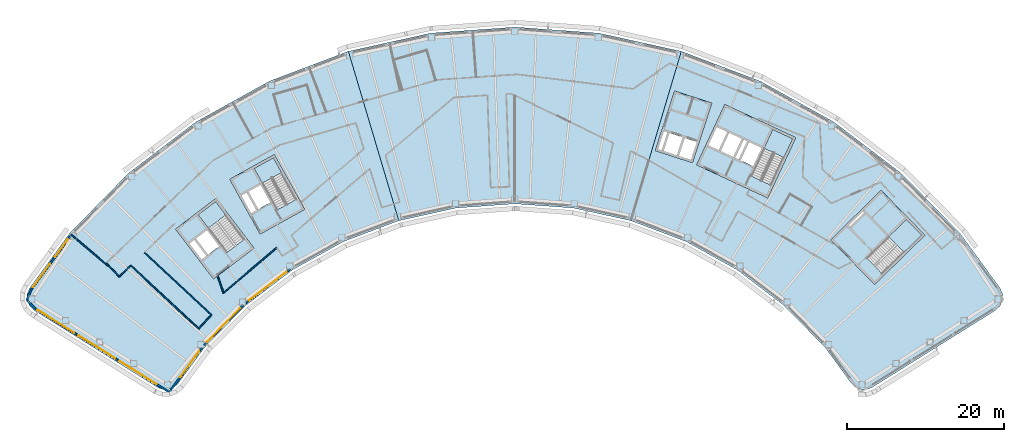
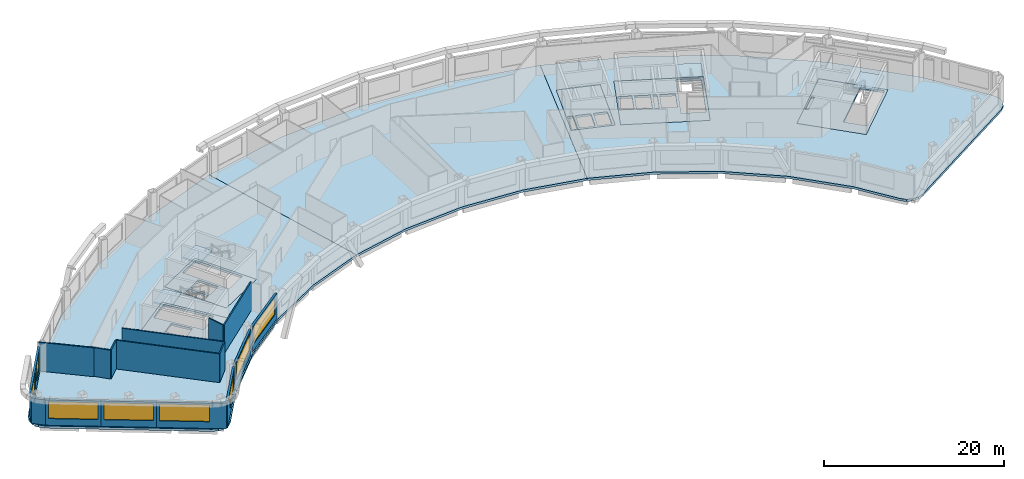
# One storey, part 4 of 15: 17 walls, 12 slabs, 8 windows, 8 openings, 4 elements without a shape of their own.
"""IFC4 building model written with IfcOpenShell, lengths in metres."""

import ifcopenshell
import ifcopenshell.guid

model = None  # the IFC model being written
_history = None  # IfcOwnerHistory: only IFC2X3 demands one
_inside = {}  # id of a spatial element -> (the spatial element, [elements in it])
_under = {}  # id of a project, library or spatial element -> (it, [spatial elements below it])
_declared = {}  # id of a project -> (the project, [libraries it declares])
_typed = {}  # id of a type object -> (the type object, [elements of that type])
_made_of = {}  # id of a material, layer set ... -> (it, [elements and type objects made of it])


def new_model(schema):
    """Start an empty IFC model of exactly this schema.

    Asked for "IFC4X3", IfcOpenShell would pick the latest addendum, in which some entities
    have other attributes; the version numbers below select the first issue.
    IFC2X3 requires an IfcOwnerHistory on every rooted entity: one is made here for all.
    """
    global model, _history
    if schema == "IFC4X3":
        model = ifcopenshell.file(schema_version=(4, 3, 0, 0))
    else:
        model = ifcopenshell.file(schema=schema)
    _inside.clear()
    _under.clear()
    _declared.clear()
    _typed.clear()
    _made_of.clear()
    _history = None
    if model.schema == "IFC2X3":
        org = make("IfcOrganization", Name="unknown")
        user = make(
            "IfcPersonAndOrganization",
            ThePerson=make("IfcPerson", FamilyName="unknown"),
            TheOrganization=org,
        )
        app = make(
            "IfcApplication",
            ApplicationDeveloper=org,
            Version="unknown",
            ApplicationFullName="unknown",
            ApplicationIdentifier="unknown",
        )
        _history = make(
            "IfcOwnerHistory",
            OwningUser=user,
            OwningApplication=app,
            ChangeAction="ADDED",
            CreationDate=0,
        )
    return model


def make(cls, **values):
    """One entity of the class cls with the attributes given. An attribute that is None is left unset."""
    return model.create_entity(
        cls, **{name: value for name, value in values.items() if value is not None}
    )


def rooted(cls, **values):
    """An entity with a GlobalId (a new one), such as an element, a storey or a relation."""
    return make(cls, GlobalId=ifcopenshell.guid.new(), OwnerHistory=_history, **values)


def si_unit(unit_type, name, prefix=None):
    """IfcSIUnit, for example si_unit("LENGTHUNIT", "METRE", prefix="MILLI")."""
    return make("IfcSIUnit", UnitType=unit_type, Prefix=prefix, Name=name)


def assignment(units):
    """IfcUnitAssignment: the units of a project."""
    return None if units is None else make("IfcUnitAssignment", Units=units)


def point(xyz):
    """IfcCartesianPoint."""
    return None if xyz is None else make("IfcCartesianPoint", Coordinates=xyz)


def direction(xyz):
    """IfcDirection."""
    return None if xyz is None else make("IfcDirection", DirectionRatios=xyz)


def frame(location, z_axis=None, x_axis=None):
    """IfcAxis2Placement3D, a coordinate frame: its origin and axes. An axis left out is left unset."""
    return make(
        "IfcAxis2Placement3D",
        Location=point(location),
        Axis=direction(z_axis),
        RefDirection=direction(x_axis),
    )


def frame_2d(location, x_axis=None):
    """IfcAxis2Placement2D, a coordinate frame in the plane: its origin and x axis."""
    return make(
        "IfcAxis2Placement2D", Location=point(location), RefDirection=direction(x_axis)
    )


def origin():
    """The frame at (0, 0, 0) with its axes left unset."""
    return frame((0.0, 0.0, 0.0))


def place(relative_to, where):
    """IfcLocalPlacement: puts the frame where relative to a parent placement (None: the world)."""
    return make(
        "IfcLocalPlacement", PlacementRelTo=relative_to, RelativePlacement=where
    )


def context(
    kind, dimensions, precision=None, world=None, true_north=None, identifier=None
):
    """IfcGeometricRepresentationContext, for example the 3D "Model" context."""
    return make(
        "IfcGeometricRepresentationContext",
        ContextIdentifier=identifier,
        ContextType=kind,
        CoordinateSpaceDimension=dimensions,
        Precision=precision,
        WorldCoordinateSystem=world,
        TrueNorth=true_north,
    )


def subcontext(parent, identifier, kind, view, scale=None):
    """IfcGeometricRepresentationSubContext, for example "Body" below "Model"."""
    return make(
        "IfcGeometricRepresentationSubContext",
        ContextIdentifier=identifier,
        ContextType=kind,
        ParentContext=parent,
        TargetScale=scale,
        TargetView=view,
    )


def project(units=None, contexts=None):
    """IfcProject with its units and contexts."""
    return rooted(
        "IfcProject",
        Name="project",
        RepresentationContexts=contexts,
        UnitsInContext=assignment(units),
    )


def spatial(cls, under=None, at=None, **own):
    """A site, building, storey or space (cls), placed at a placement, below another one or the project."""
    s = rooted(cls, ObjectPlacement=at, **own)
    if under is not None:
        _under.setdefault(under.id(), (under, []))[1].append(s)
    return s


def polyline(points):
    """IfcPolyline through the points."""
    return make("IfcPolyline", Points=[point(p) for p in points])


def profile(cls, at=None, kind="AREA", **sizes):
    """A parametric profile (cls). Its sizes go by their IFC names, for example OverallWidth=200.0."""
    return make(cls, ProfileType=kind, Position=at, **sizes)


def rectangle(**sizes):
    """IfcRectangleProfileDef."""
    return profile("IfcRectangleProfileDef", **sizes)


def outline(outer, holes=None, kind="AREA"):
    """IfcArbitraryClosedProfileDef: a profile drawn as a closed curve; with holes, ...WithVoids."""
    if holes is None:
        return make("IfcArbitraryClosedProfileDef", ProfileType=kind, OuterCurve=outer)
    return make(
        "IfcArbitraryProfileDefWithVoids",
        ProfileType=kind,
        OuterCurve=outer,
        InnerCurves=holes,
    )


def extrude(swept, where, along, depth):
    """IfcExtrudedAreaSolid: the profile swept, set in the frame where, extruded along a direction by depth."""
    return make(
        "IfcExtrudedAreaSolid",
        SweptArea=swept,
        Position=where,
        ExtrudedDirection=direction(along),
        Depth=depth,
    )


def shape(context_of_items, identifier, shape_type, items):
    """IfcShapeRepresentation: the items that make up one representation, for example the "Body"."""
    return make(
        "IfcShapeRepresentation",
        ContextOfItems=context_of_items,
        RepresentationIdentifier=identifier,
        RepresentationType=shape_type,
        Items=items,
    )


def material(Name=None, Category=None):
    """IfcMaterial."""
    return make("IfcMaterial", Name=Name, Category=Category)


def layer(
    of_material, thickness, ventilated=None, Name=None, Category=None, Priority=None
):
    """IfcMaterialLayer: one layer of a wall or slab, of a material (None: an air gap)."""
    return make(
        "IfcMaterialLayer",
        Material=of_material,
        LayerThickness=thickness,
        IsVentilated=ventilated,
        Name=Name,
        Category=Category,
        Priority=Priority,
    )


def layer_set(layers, Name=None):
    """IfcMaterialLayerSet."""
    return make("IfcMaterialLayerSet", MaterialLayers=layers, LayerSetName=Name)


def made_of(thing, what):
    """Note that an element or type object is made of a material, layer set ...; save() writes the relation."""
    if what is not None:
        _made_of.setdefault(what.id(), (what, []))[1].append(thing)
    return thing


def type_object(cls, material=None, **own):
    """A type object (cls), such as IfcWallType, which elements share."""
    return made_of(rooted(cls, **own), material)


def element(
    cls,
    number,
    at=None,
    inside=None,
    cuts=None,
    type_object=None,
    material=None,
    context=None,
    identifier="Body",
    shape_type=None,
    held_by="IfcProductDefinitionShape",
    body=None,
    shapes=None,
    **own,
):
    """One element of the class cls, such as IfcWall. Its Tag is "e" and its number.

    at: its placement. inside: the storey or other place that contains it. cuts: it is an
    opening in that element (IfcRelVoidsElement). A single representation is given by context,
    identifier, shape_type and body (its items); several are given by shapes. held_by: the class
    of the entity that holds the representations. save() writes the other relations.
    """
    e = rooted(cls, Tag="e%d" % number, ObjectPlacement=at, **own)
    if body is not None:
        shapes = [shape(context, identifier, shape_type, body)]
    if shapes is not None:
        e.Representation = make(held_by, Representations=shapes)
    if inside is not None:
        _inside.setdefault(inside.id(), (inside, []))[1].append(e)
    if cuts is not None:
        rooted(
            "IfcRelVoidsElement", RelatingBuildingElement=cuts, RelatedOpeningElement=e
        )
    if type_object is not None:
        _typed.setdefault(type_object.id(), (type_object, []))[1].append(e)
    return made_of(e, material)


def fill(opening, filler):
    """IfcRelFillsElement: the door or window that sits in an opening."""
    return rooted(
        "IfcRelFillsElement",
        RelatingOpeningElement=opening,
        RelatedBuildingElement=filler,
    )


def aggregate(whole, parts):
    """IfcRelAggregates: a whole, such as a stair, and the parts it consists of."""
    return rooted("IfcRelAggregates", RelatingObject=whole, RelatedObjects=parts)


def save(model, path):
    """Write the relations noted so far, then the file.

    IfcRelAggregates (storeys below a building ...), IfcRelContainedInSpatialStructure (elements
    in a storey), IfcRelDefinesByType, IfcRelAssociatesMaterial and IfcRelDeclares: one each for
    every whole, place, type object, material and project.
    """
    for whole, parts in _under.values():
        aggregate(whole, parts)
    for where, things in _inside.values():
        rooted(
            "IfcRelContainedInSpatialStructure",
            RelatedElements=things,
            RelatingStructure=where,
        )
    for kind, things in _typed.values():
        rooted("IfcRelDefinesByType", RelatedObjects=things, RelatingType=kind)
    for what, things in _made_of.values():
        rooted("IfcRelAssociatesMaterial", RelatedObjects=things, RelatingMaterial=what)
    for by, libraries in _declared.values():
        rooted("IfcRelDeclares", RelatingContext=by, RelatedDefinitions=libraries)
    model.write(path)


model = new_model("IFC4")

# Units and contexts
model_context = context("Model", 3, precision=1e-05, world=origin(), true_north=direction((0.0, 1.0)))
body_context = subcontext(model_context, "Body", "Model", "MODEL_VIEW")
ifc_project = project(units=[si_unit("LENGTHUNIT", "METRE"), si_unit("AREAUNIT", "SQUARE_METRE"), si_unit("VOLUMEUNIT", "CUBIC_METRE"), si_unit("PLANEANGLEUNIT", "RADIAN"), si_unit("MASSUNIT", "GRAM", prefix="KILO")], contexts=[model_context])

# Site, building, storey
site_placement = place(None, origin())
site = spatial("IfcSite", under=ifc_project, at=site_placement, CompositionType="ELEMENT")
building_placement = place(site_placement, origin())
building = spatial("IfcBuilding", under=site, at=building_placement, Name="Tuul Gate Civic Tower", CompositionType="ELEMENT")
storey_placement = place(building_placement, frame((0.0, 0.0, 332.300048828125)))
storey = spatial("IfcBuildingStorey", under=building, at=storey_placement, Name="Level 75", CompositionType="ELEMENT", Elevation=332.300048828125)

# Slabs
ifc_material_1 = material(Name="Concrete C40/50", Category="concrete")
ifc_layer_1 = layer(ifc_material_1, 0.300048828125)
ifc_layer_set_1 = layer_set([ifc_layer_1], Name="Concrete C40/50")
slab_type_1 = type_object("IfcSlabType", Name="Core floor slab 300", PredefinedType="FLOOR", material=ifc_layer_set_1)
slab_1_placement = place(storey_placement, frame((0.0, 0.0, -0.300048828125)))
element("IfcSlab", 1, at=slab_1_placement, inside=storey, type_object=slab_type_1, Name="FLOOR SLAB", PredefinedType="FLOOR", context=body_context, shape_type="SweptSolid", body=[
    extrude(outline(polyline([(-31.10009765625, -13.7890625), (-35.946044921875, -7.423828125), (-41.11767578125, -11.361572265625), (-36.271484375, -17.726806640625), (-31.10009765625, -13.7890625)]), holes=[polyline([(-35.561767578125, -13.541259765625), (-37.1064453125, -11.512451171875), (-38.498779296875, -12.572509765625), (-36.9541015625, -14.6015625), (-35.561767578125, -13.541259765625)]), polyline([(-37.19287109375, -14.783203125), (-38.737548828125, -12.75439453125), (-39.45361328125, -13.299560546875), (-37.908935546875, -15.328369140625), (-37.19287109375, -14.783203125)]), polyline([(-32.33935546875, -12.65771484375), (-34.56591796875, -14.352783203125), (-38.229736328125, -9.54052734375), (-36.003173828125, -7.845458984375), (-32.33935546875, -12.65771484375)])]), origin(), (0.0, 0.0, 1.0), 0.300048828125),
])
slab_2_placement = place(storey_placement, frame((0.0, 0.0, -0.300048828125)))
element("IfcSlab", 2, at=slab_2_placement, inside=storey, type_object=slab_type_1, Name="FLOOR SLAB", PredefinedType="FLOOR", context=body_context, shape_type="SweptSolid", body=[
    extrude(outline(polyline([(-24.638916015625, -8.846923828125), (-28.51708984375, -1.849853515625), (-34.2021484375, -5.0009765625), (-30.32421875, -11.998046875), (-24.638916015625, -8.846923828125)]), holes=[polyline([(-29.0185546875, -7.958740234375), (-30.254638671875, -5.728515625), (-31.785400390625, -6.576904296875), (-30.54931640625, -8.80712890625), (-29.0185546875, -7.958740234375)]), polyline([(-30.8115234375, -8.95263671875), (-32.047607421875, -6.72216796875), (-32.8349609375, -7.158447265625), (-31.5986328125, -9.388916015625), (-30.8115234375, -8.95263671875)]), polyline([(-25.702392578125, -7.548828125), (-28.14990234375, -8.905517578125), (-31.08203125, -3.615234375), (-28.63427734375, -2.2587890625), (-25.702392578125, -7.548828125)])]), origin(), (0.0, 0.0, 1.0), 0.300048828125),
])
slab_3_placement = place(storey_placement, frame((0.0, 0.0, -0.300048828125)))
element("IfcSlab", 3, at=slab_3_placement, inside=storey, type_object=slab_type_1, Name="FLOOR SLAB", PredefinedType="FLOOR", context=body_context, shape_type="SweptSolid", body=[
    extrude(outline(polyline([(48.117919921875, -18.43310546875), (54.545166015625, -12.1328125), (48.945068359375, -6.419921875), (42.517822265625, -12.719970703125), (48.117919921875, -18.43310546875)]), holes=[polyline([(44.93896484375, -11.046875), (46.760009765625, -9.261962890625), (46.514892578125, -9.011962890625), (44.69384765625, -10.797119140625), (44.93896484375, -11.046875)]), polyline([(49.086181640625, -17.062744140625), (47.12744140625, -15.064208984375), (52.160888671875, -10.130126953125), (54.11962890625, -12.128662109375), (49.086181640625, -17.062744140625)])]), origin(), (0.0, 0.0, 1.0), 0.300048828125),
])
slab_4_placement = place(storey_placement, frame((0.0, 0.0, -0.300048828125)))
element("IfcSlab", 4, at=slab_4_placement, inside=storey, type_object=slab_type_1, Name="FLOOR SLAB", PredefinedType="FLOOR", context=body_context, shape_type="SweptSolid", body=[
    extrude(outline(polyline([(34.465087890625, -7.385986328125), (38.056884765625, 0.31787109375), (28.993896484375, 4.543701171875), (25.40185546875, -3.159912109375), (34.465087890625, -7.385986328125)]), holes=[polyline([(32.60888671875, -3.32080078125), (33.6865234375, -1.009765625), (32.1005859375, -0.27001953125), (31.02294921875, -2.581298828125), (32.60888671875, -3.32080078125)]), polyline([(30.0712890625, -2.137451171875), (31.14892578125, 0.173583984375), (29.562744140625, 0.9130859375), (28.4853515625, -1.39794921875), (30.0712890625, -2.137451171875)]), polyline([(30.751220703125, -2.454345703125), (31.82861328125, -0.143310546875), (31.4208984375, 0.046875), (30.34326171875, -2.264404296875), (30.751220703125, -2.454345703125)]), polyline([(28.21337890625, -1.27099609375), (29.291015625, 1.0400390625), (27.8408203125, 1.71630859375), (26.76318359375, -0.594970703125), (28.21337890625, -1.27099609375)]), polyline([(34.889892578125, -5.7626953125), (32.353759765625, -4.580078125), (35.120849609375, 1.354736328125), (37.6572265625, 0.17236328125), (34.889892578125, -5.7626953125)])]), origin(), (0.0, 0.0, 1.0), 0.300048828125),
])
ifc_material_2 = material(Name="Concrete C40/50", Category="concrete")
ifc_layer_2 = layer(ifc_material_2, 0.300048828125)
ifc_layer_set_2 = layer_set([ifc_layer_2], Name="Concrete C40/50")
slab_type_2 = type_object("IfcSlabType", Name="Core floor slab 300 non-bearing", PredefinedType="FLOOR", material=ifc_layer_set_2)
slab_5_placement = place(storey_placement, frame((0.0, 0.0, -0.300048828125)))
element("IfcSlab", 5, at=slab_5_placement, inside=storey, type_object=slab_type_2, Name="FLOOR SLAB", PredefinedType="FLOOR", context=body_context, shape_type="SweptSolid", body=[
    extrude(outline(polyline([(24.864990234375, -2.888916015625), (27.337890625, 4.71923828125), (22.58251953125, 6.264404296875), (20.109619140625, -1.343994140625), (24.864990234375, -2.888916015625)]), holes=[polyline([(24.67236328125, -2.510986328125), (25.414306640625, -0.228515625), (23.892578125, 0.265869140625), (23.150634765625, -2.0166015625), (24.67236328125, -2.510986328125)]), polyline([(22.865478515625, -1.923828125), (23.607177734375, 0.358642578125), (21.94287109375, 0.8994140625), (21.201171875, -1.383056640625), (22.865478515625, -1.923828125)]), polyline([(20.869384765625, -1.43310546875), (21.65771484375, 0.9921875), (21.0869140625, 1.177490234375), (20.298583984375, -1.24755859375), (20.869384765625, -1.43310546875)])]), origin(), (0.0, 0.0, 1.0), 0.300048828125),
])

# Stair, slab
ifc_material_3 = material(Name="Concrete C40/50", Category="concrete")
stair_type = type_object("IfcStairType", Name="Exit stair", PredefinedType="HALF_TURN_STAIR", material=ifc_material_3)
stair_1_placement = place(storey_placement, origin())
stair_1 = element("IfcStair", 6, at=stair_1_placement, inside=storey, type_object=stair_type, Name="Level 75 ST-1", PredefinedType="HALF_TURN_STAIR")
ifc_material_4 = material(Name="Concrete C40/50", Category="concrete")
ifc_layer_3 = layer(ifc_material_4, 0.199951171875)
ifc_layer_set_3 = layer_set([ifc_layer_3], Name="Concrete C40/50")
slab_type_3 = type_object("IfcSlabType", Name="Exit stair landing", PredefinedType="LANDING", material=ifc_layer_set_3)
slab_6_placement = place(storey_placement, frame((0.0, 0.0, 1.89990234375)))
slab_6 = element("IfcSlab", 7, at=slab_6_placement, type_object=slab_type_3, Name="ST-1 landing 1", PredefinedType="LANDING", context=body_context, shape_type="SweptSolid", body=[
    extrude(outline(polyline([(-34.699462890625, -9.554931640625), (-36.9287109375, -11.252197265625), (-38.23193359375, -9.540283203125), (-36.0029296875, -7.843017578125), (-34.699462890625, -9.554931640625)])), origin(), (0.0, 0.0, 1.0), 0.199951171875),
])
aggregate(stair_1, [slab_6])

stair_2_placement = place(storey_placement, origin())
stair_2 = element("IfcStair", 8, at=stair_2_placement, inside=storey, type_object=stair_type, Name="Level 75 ST-2", PredefinedType="HALF_TURN_STAIR")
slab_7_placement = place(storey_placement, frame((0.0, 0.0, 1.89990234375)))
slab_7 = element("IfcSlab", 9, at=slab_7_placement, type_object=slab_type_3, Name="ST-2 landing 1", PredefinedType="LANDING", context=body_context, shape_type="SweptSolid", body=[
    extrude(outline(polyline([(-27.5908203125, -4.138427734375), (-30.041015625, -5.49658203125), (-31.084228515625, -3.61474609375), (-28.6337890625, -2.256591796875), (-27.5908203125, -4.138427734375)])), origin(), (0.0, 0.0, 1.0), 0.199951171875),
])
aggregate(stair_2, [slab_7])

stair_3_placement = place(storey_placement, origin())
stair_3 = element("IfcStair", 10, at=stair_3_placement, inside=storey, type_object=stair_type, Name="Level 75 ST-3", PredefinedType="HALF_TURN_STAIR")
slab_8_placement = place(storey_placement, frame((0.0, 0.0, 1.89990234375)))
slab_8 = element("IfcSlab", 11, at=slab_8_placement, type_object=slab_type_3, Name="ST-3 landing 1", PredefinedType="LANDING", context=body_context, shape_type="SweptSolid", body=[
    extrude(outline(polyline([(51.871337890625, -14.3349609375), (49.91015625, -12.334228515625), (52.160888671875, -10.1279296875), (54.1220703125, -12.128662109375), (51.871337890625, -14.3349609375)])), origin(), (0.0, 0.0, 1.0), 0.199951171875),
])
aggregate(stair_3, [slab_8])

stair_4_placement = place(storey_placement, origin())
stair_4 = element("IfcStair", 12, at=stair_4_placement, inside=storey, type_object=stair_type, Name="Level 75 ST-4", PredefinedType="HALF_TURN_STAIR")
slab_9_placement = place(storey_placement, frame((0.0, 0.0, 1.89990234375)))
slab_9 = element("IfcSlab", 13, at=slab_9_placement, type_object=slab_type_3, Name="ST-4 landing 1", PredefinedType="LANDING", context=body_context, shape_type="SweptSolid", body=[
    extrude(outline(polyline([(36.538818359375, -2.230224609375), (33.999755859375, -1.046142578125), (35.1201171875, 1.35693359375), (37.659423828125, 0.173095703125), (36.538818359375, -2.230224609375)])), origin(), (0.0, 0.0, 1.0), 0.199951171875),
])
aggregate(stair_4, [slab_9])

# Slabs
ifc_material_5 = material(Name="Concrete C35/45", Category="concrete")
ifc_layer_4 = layer(ifc_material_5, 0.300048828125)
ifc_layer_set_4 = layer_set([ifc_layer_4], Name="Concrete C35/45")
slab_type_4 = type_object("IfcSlabType", Name="STR-FLOOR-SLAB-300", PredefinedType="FLOOR", material=ifc_layer_set_4)
slab_10_placement = place(storey_placement, frame((0.0, 0.0, -0.300048828125)))
element("IfcSlab", 14, at=slab_10_placement, inside=storey, type_object=slab_type_4, Name="Level 75/slab/W", PredefinedType="FLOOR", context=body_context, shape_type="SweptSolid", body=[
    extrude(outline(polyline([(-19.64208984375, -12.94189453125), (-12.6220703125, -10.287109375), (-19.055908203125, 11.3349609375), (-29.125, 7.528076171875), (-38.5390625, 2.30908203125), (-47.10400390625, -4.2119140625), (-54.638916015625, -11.89892578125), (-59.718994140625, -18.85498046875), (-60.055908203125, -19.597900390625), (-60.068115234375, -20.4140625), (-59.7529296875, -21.1669921875), (-59.1640625, -21.73095703125), (-43.43408203125, -31.56005859375), (-42.739990234375, -31.830078125), (-41.9951171875, -31.827880859375), (-41.302978515625, -31.552978515625), (-40.759033203125, -31.0439453125), (-37.429931640625, -26.486083984375), (-32.177001953125, -21.1259765625), (-26.2060546875, -16.580078125), (-19.64208984375, -12.94189453125)]), holes=[polyline([(-31.10009765625, -13.7890625), (-36.27197265625, -17.72705078125), (-41.117919921875, -11.362060546875), (-35.946044921875, -7.424072265625), (-31.10009765625, -13.7890625)]), polyline([(-24.638916015625, -8.846923828125), (-30.323974609375, -11.998046875), (-34.201904296875, -5.0009765625), (-28.51708984375, -1.85009765625), (-24.638916015625, -8.846923828125)])]), origin(), (0.0, 0.0, 1.0), 0.300048828125),
])
slab_11_placement = place(storey_placement, frame((0.0, 0.0, -0.300048828125)))
element("IfcSlab", 15, at=slab_11_placement, inside=storey, type_object=slab_type_4, Name="Level 75/slab/M", PredefinedType="FLOOR", context=body_context, shape_type="SweptSolid", body=[
    extrude(outline(polyline([(17.006103515625, -10.287109375), (23.43994140625, 11.3349609375), (12.927978515625, 13.652099609375), (2.19189453125, 14.428955078125), (-8.5439453125, 13.652099609375), (-19.055908203125, 11.3349609375), (-12.6220703125, -10.287109375), (-5.29296875, -8.672119140625), (2.19189453125, -8.1298828125), (9.677001953125, -8.672119140625), (17.006103515625, -10.287109375)])), origin(), (0.0, 0.0, 1.0), 0.300048828125),
])
slab_12_placement = place(storey_placement, frame((0.0, 0.0, -0.300048828125)))
element("IfcSlab", 16, at=slab_12_placement, inside=storey, type_object=slab_type_4, Name="Level 75/slab/E", PredefinedType="FLOOR", context=body_context, shape_type="SweptSolid", body=[
    extrude(outline(polyline([(47.1240234375, -31.830078125), (47.818115234375, -31.56005859375), (63.548095703125, -21.73095703125), (64.136962890625, -21.1669921875), (64.451904296875, -20.4140625), (64.43994140625, -19.597900390625), (64.10302734375, -18.85498046875), (59.02294921875, -11.89892578125), (51.488037109375, -4.2119140625), (42.923095703125, 2.30908203125), (33.509033203125, 7.528076171875), (23.43994140625, 11.3349609375), (17.006103515625, -10.287109375), (24.02587890625, -12.94189453125), (30.590087890625, -16.580078125), (36.56103515625, -21.1259765625), (41.81396484375, -26.486083984375), (45.14306640625, -31.0439453125), (45.68701171875, -31.552978515625), (46.37890625, -31.827880859375), (47.1240234375, -31.830078125)]), holes=[polyline([(48.117919921875, -18.43310546875), (42.51806640625, -12.719970703125), (48.945068359375, -6.419921875), (54.544921875, -12.133056640625), (48.117919921875, -18.43310546875)]), polyline([(25.402099609375, -3.159912109375), (28.993896484375, 4.5439453125), (38.056884765625, 0.318115234375), (34.465087890625, -7.385986328125), (25.402099609375, -3.159912109375)]), polyline([(20.110107421875, -1.343994140625), (22.58203125, 6.264892578125), (27.337890625, 4.719970703125), (24.864990234375, -2.888916015625), (20.110107421875, -1.343994140625)])]), origin(), (0.0, 0.0, 1.0), 0.300048828125),
])

# Walls
ifc_material_6 = material(Name="Gypsum board partition")
ifc_layer_5 = layer(ifc_material_6, 0.14990234375)
ifc_layer_set_5 = layer_set([ifc_layer_5], Name="Gypsum board partition")
wall_type_1 = type_object("IfcWallType", Name="Corridor wall P150", PredefinedType="PARTITIONING", material=ifc_layer_set_5)
wall_1_placement = place(storey_placement, frame((-49.96337890625, -15.701416015625, 0.0), z_axis=(0.0, 0.0, 1.0), x_axis=(0.692773194166, -0.721155532077, 0.0)))
element("IfcWall", 17, at=wall_1_placement, inside=storey, type_object=wall_type_1, Name="p030", PredefinedType="PARTITIONING", context=body_context, shape_type="SweptSolid", body=[
    extrude(rectangle(XDim=2.39990234375, YDim=0.14990234375, at=frame_2d((1.199951171875, 0.0))), origin(), (0.0, 0.0, 1.0), 3.89990234375),
])
wall_2_placement = place(storey_placement, frame((-54.43359375, -12.0751953125, 0.0), z_axis=(0.0, 0.0, 1.0), x_axis=(0.762994888009, -0.646404517986, 0.0)))
element("IfcWall", 18, at=wall_2_placement, inside=storey, type_object=wall_type_1, Name="p031", PredefinedType="PARTITIONING", context=body_context, shape_type="SweptSolid", body=[
    extrude(rectangle(XDim=6.24853515625, YDim=0.14990234375, at=frame_2d((3.124267578125, 0.0))), origin(), (0.0, 0.0, 1.0), 3.89990234375),
])
wall_3_placement = place(storey_placement, frame((-48.30078125, -17.43212890625, 0.0), z_axis=(0.0, 0.0, 1.0), x_axis=(0.721171653789, 0.69275641157, 0.0)))
element("IfcWall", 19, at=wall_3_placement, inside=storey, type_object=wall_type_1, Name="p049", PredefinedType="PARTITIONING", context=body_context, shape_type="SweptSolid", body=[
    extrude(rectangle(XDim=2.036376953125, YDim=0.14990234375, at=frame_2d((1.01806640625, 0.0))), origin(), (0.0, 0.0, 1.0), 3.89990234375),
])
wall_4_placement = place(storey_placement, frame((-46.807861328125, -16.018798828125, 0.0), z_axis=(0.0, 0.0, 1.0), x_axis=(0.731363923155, -0.681987398643, 0.0)))
element("IfcWall", 20, at=wall_4_placement, inside=storey, type_object=wall_type_1, Name="p051", PredefinedType="PARTITIONING", context=body_context, shape_type="SweptSolid", body=[
    extrude(rectangle(XDim=11.807373046875, YDim=0.14990234375, at=frame_2d((5.90380859375, 0.0))), origin(), (0.0, 0.0, 1.0), 3.89990234375),
])
wall_5_placement = place(storey_placement, frame((-38.17236328125, -24.0712890625, 0.0), z_axis=(0.0, 0.0, 1.0), x_axis=(0.682010140547, 0.731342715963, 0.0)))
element("IfcWall", 21, at=wall_5_placement, inside=storey, type_object=wall_type_1, Name="p052", PredefinedType="PARTITIONING", context=body_context, shape_type="SweptSolid", body=[
    extrude(rectangle(XDim=2.400146484375, YDim=0.14990234375, at=frame_2d((1.2001953125, 0.0))), origin(), (0.0, 0.0, 1.0), 3.89990234375),
])
wall_6_placement = place(storey_placement, frame((-45.069580078125, -14.35791015625, 0.0), z_axis=(0.0, 0.0, 1.0), x_axis=(0.731364109617, -0.681987198681, 0.0)))
element("IfcWall", 22, at=wall_6_placement, inside=storey, type_object=wall_type_1, Name="p053", PredefinedType="PARTITIONING", context=body_context, shape_type="SweptSolid", body=[
    extrude(rectangle(XDim=11.6689453125, YDim=0.14990234375, at=frame_2d((5.83447265625, 0.0))), origin(), (0.0, 0.0, 1.0), 3.89990234375),
])
wall_7_placement = place(storey_placement, frame((-35.69580078125, -17.476806640625, 0.0), z_axis=(0.0, 0.0, 1.0), x_axis=(0.324321422105, -0.945946940988, 0.0)))
element("IfcWall", 23, at=wall_7_placement, inside=storey, type_object=wall_type_1, Name="p054", PredefinedType="PARTITIONING", context=body_context, shape_type="SweptSolid", body=[
    extrude(rectangle(XDim=2.150634765625, YDim=0.14990234375, at=frame_2d((1.0751953125, 0.0))), origin(), (0.0, 0.0, 1.0), 3.89990234375),
])
wall_8_placement = place(storey_placement, frame((-34.998291015625, -19.51123046875, 0.0), z_axis=(0.0, 0.0, 1.0), x_axis=(0.762337651112, 0.647179500368, 0.0)))
element("IfcWall", 24, at=wall_8_placement, inside=storey, type_object=wall_type_1, Name="p055", PredefinedType="PARTITIONING", context=body_context, shape_type="SweptSolid", body=[
    extrude(rectangle(XDim=8.9189453125, YDim=0.14990234375, at=frame_2d((4.45947265625, 0.0))), origin(), (0.0, 0.0, 1.0), 3.89990234375),
])

# Wall, openings, windows
ifc_material_7 = material(Name="Precast concrete C40/50", Category="concrete")
ifc_layer_6 = layer(ifc_material_7, 0.25)
ifc_layer_set_6 = layer_set([ifc_layer_6], Name="Precast concrete C40/50")
wall_type_2 = type_object("IfcWallType", Name="External wall", PredefinedType="STANDARD", material=ifc_layer_set_6)
wall_9_placement = place(storey_placement, frame((-54.580078125, -12.28466796875, 0.0), z_axis=(0.0, 0.0, 1.0), x_axis=(-0.58975151757, -0.80758476182, 0.0)))
wall_9 = element("IfcWall", 25, at=wall_9_placement, inside=storey, type_object=wall_type_2, Name="External wall", PredefinedType="STANDARD", context=body_context, shape_type="SweptSolid", body=[
    extrude(rectangle(XDim=8.33740234375, YDim=0.25, at=frame_2d((4.168701171875, 0.0))), origin(), (0.0, 0.0, 1.0), 3.449951171875),
])
opening_1_placement = place(wall_9_placement, frame((0.48486328125, 0.0, 0.89990234375)))
opening_1 = element("IfcOpeningElement", 26, at=opening_1_placement, cuts=wall_9, Name="Opening W23", PredefinedType="OPENING", context=body_context, shape_type="SweptSolid", body=[
    extrude(rectangle(XDim=2.800048828125, YDim=2.300048828125, at=frame_2d((1.39990234375, 1.14990234375))), frame((0.0, 0.135009765625, 0.0), z_axis=(0.0, -1.0, 0.0), x_axis=(1.0, 0.0, 0.0)), (0.0, 0.0, 1.0), 0.27001953125),
])
opening_2_placement = place(wall_9_placement, frame((4.33642578125, 0.0, 0.89990234375)))
opening_2 = element("IfcOpeningElement", 27, at=opening_2_placement, cuts=wall_9, Name="Opening W21", PredefinedType="OPENING", context=body_context, shape_type="SweptSolid", body=[
    extrude(rectangle(XDim=3.699951171875, YDim=2.300048828125, at=frame_2d((1.85009765625, 1.14990234375))), frame((0.0, 0.135009765625, 0.0), z_axis=(0.0, -1.0, 0.0), x_axis=(1.0, 0.0, 0.0)), (0.0, 0.0, 1.0), 0.27001953125),
])
ifc_material_8 = material(Name="Glass", Category="glass")
window_type_1 = type_object("IfcWindowType", Name="Window W21 3700 x 2300", PartitioningType="SINGLE_PANEL", PredefinedType="WINDOW", material=ifc_material_8)
window_1_placement = place(opening_2_placement, origin())
window_1 = element("IfcWindow", 28, at=window_1_placement, inside=storey, type_object=window_type_1, Name="Window", OverallHeight=2.300048828125, OverallWidth=3.699951171875, PartitioningType="SINGLE_PANEL", PredefinedType="WINDOW", context=body_context, shape_type="SweptSolid", body=[
    extrude(rectangle(XDim=3.699951171875, YDim=2.300048828125, at=frame_2d((1.85009765625, 1.14990234375))), frame((0.0, 0.030029296875, 0.0), z_axis=(0.0, -1.0, 0.0), x_axis=(1.0, 0.0, 0.0)), (0.0, 0.0, 1.0), 0.06005859375),
])
fill(opening_2, window_1)
ifc_material_9 = material(Name="Glass", Category="glass")
window_type_2 = type_object("IfcWindowType", Name="Window W23 2800 x 2300", PartitioningType="SINGLE_PANEL", PredefinedType="WINDOW", material=ifc_material_9)
window_2_placement = place(opening_1_placement, origin())
window_2 = element("IfcWindow", 29, at=window_2_placement, inside=storey, type_object=window_type_2, Name="Window", OverallHeight=2.300048828125, OverallWidth=2.800048828125, PartitioningType="SINGLE_PANEL", PredefinedType="WINDOW", context=body_context, shape_type="SweptSolid", body=[
    extrude(rectangle(XDim=2.800048828125, YDim=2.300048828125, at=frame_2d((1.39990234375, 1.14990234375))), frame((0.0, 0.030029296875, 0.0), z_axis=(0.0, -1.0, 0.0), x_axis=(1.0, 0.0, 0.0)), (0.0, 0.0, 1.0), 0.06005859375),
])
fill(opening_1, window_2)

# Walls
wall_10_placement = place(storey_placement, frame((-59.484130859375, -18.99560546875, 0.0), z_axis=(0.0, 0.0, 1.0), x_axis=(-0.413463423134, -0.910520728886, 0.0)))
element("IfcWall", 30, at=wall_10_placement, inside=storey, type_object=wall_type_2, Name="External wall", PredefinedType="STANDARD", context=body_context, shape_type="SweptSolid", body=[
    extrude(rectangle(XDim=1.5712890625, YDim=0.25, at=frame_2d((0.78564453125, 0.0))), origin(), (0.0, 0.0, 1.0), 3.449951171875),
])
wall_11_placement = place(storey_placement, frame((-60.1337890625, -20.42626953125, 0.0), z_axis=(0.0, 0.0, 1.0), x_axis=(0.722162740816, -0.691723193031, 0.0)))
element("IfcWall", 31, at=wall_11_placement, inside=storey, type_object=wall_type_2, Name="External wall", PredefinedType="STANDARD", context=body_context, shape_type="SweptSolid", body=[
    extrude(rectangle(XDim=1.572021484375, YDim=0.25, at=frame_2d((0.7861328125, 0.0))), origin(), (0.0, 0.0, 1.0), 3.449951171875),
])

# Wall, opening, window
wall_12_placement = place(storey_placement, frame((-59.018798828125, -21.498046875, 0.0), z_axis=(0.0, 0.0, 1.0), x_axis=(0.848053758074, -0.529910203164, 0.0)))
wall_12 = element("IfcWall", 32, at=wall_12_placement, inside=storey, type_object=wall_type_2, Name="External wall", PredefinedType="STANDARD", context=body_context, shape_type="SweptSolid", body=[
    extrude(rectangle(XDim=6.182861328125, YDim=0.25, at=frame_2d((3.09130859375, 0.0))), origin(), (0.0, 0.0, 1.0), 3.449951171875),
])
opening_3_placement = place(wall_12_placement, frame((0.31640625, 0.0, 0.89990234375)))
opening_3 = element("IfcOpeningElement", 33, at=opening_3_placement, cuts=wall_12, Name="Opening W24", PredefinedType="OPENING", context=body_context, shape_type="SweptSolid", body=[
    extrude(rectangle(XDim=5.550048828125, YDim=2.300048828125, at=frame_2d((2.77490234375, 1.14990234375))), frame((0.0, 0.135009765625, 0.0), z_axis=(0.0, -1.0, 0.0), x_axis=(1.0, 0.0, 0.0)), (0.0, 0.0, 1.0), 0.27001953125),
])
ifc_material_10 = material(Name="Glass", Category="glass")
window_type_3 = type_object("IfcWindowType", Name="Window W24 5550 x 2300", PartitioningType="SINGLE_PANEL", PredefinedType="WINDOW", material=ifc_material_10)
window_3_placement = place(opening_3_placement, origin())
window_3 = element("IfcWindow", 34, at=window_3_placement, inside=storey, type_object=window_type_3, Name="Window", OverallHeight=2.300048828125, OverallWidth=5.550048828125, PartitioningType="SINGLE_PANEL", PredefinedType="WINDOW", context=body_context, shape_type="SweptSolid", body=[
    extrude(rectangle(XDim=5.550048828125, YDim=2.300048828125, at=frame_2d((2.77490234375, 1.14990234375))), frame((0.0, 0.030029296875, 0.0), z_axis=(0.0, -1.0, 0.0), x_axis=(1.0, 0.0, 0.0)), (0.0, 0.0, 1.0), 0.06005859375),
])
fill(opening_3, window_3)

wall_13_placement = place(storey_placement, frame((-53.775390625, -24.7744140625, 0.0), z_axis=(0.0, 0.0, 1.0), x_axis=(0.848053758074, -0.529910203164, 0.0)))
wall_13 = element("IfcWall", 35, at=wall_13_placement, inside=storey, type_object=wall_type_2, Name="External wall", PredefinedType="STANDARD", context=body_context, shape_type="SweptSolid", body=[
    extrude(rectangle(XDim=6.182861328125, YDim=0.25, at=frame_2d((3.09130859375, 0.0))), origin(), (0.0, 0.0, 1.0), 3.449951171875),
])
opening_4_placement = place(wall_13_placement, frame((0.31640625, 0.0, 0.89990234375)))
opening_4 = element("IfcOpeningElement", 36, at=opening_4_placement, cuts=wall_13, Name="Opening W24", PredefinedType="OPENING", context=body_context, shape_type="SweptSolid", body=[
    extrude(rectangle(XDim=5.550048828125, YDim=2.300048828125, at=frame_2d((2.77490234375, 1.14990234375))), frame((0.0, 0.135009765625, 0.0), z_axis=(0.0, -1.0, 0.0), x_axis=(1.0, 0.0, 0.0)), (0.0, 0.0, 1.0), 0.27001953125),
])
window_4_placement = place(opening_4_placement, origin())
window_4 = element("IfcWindow", 37, at=window_4_placement, inside=storey, type_object=window_type_3, Name="Window", OverallHeight=2.300048828125, OverallWidth=5.550048828125, PartitioningType="SINGLE_PANEL", PredefinedType="WINDOW", context=body_context, shape_type="SweptSolid", body=[
    extrude(rectangle(XDim=5.550048828125, YDim=2.300048828125, at=frame_2d((2.77490234375, 1.14990234375))), frame((0.0, 0.030029296875, 0.0), z_axis=(0.0, -1.0, 0.0), x_axis=(1.0, 0.0, 0.0)), (0.0, 0.0, 1.0), 0.06005859375),
])
fill(opening_4, window_4)

wall_14_placement = place(storey_placement, frame((-48.531982421875, -28.05078125, 0.0), z_axis=(0.0, 0.0, 1.0), x_axis=(0.848061701049, -0.529897491233, 0.0)))
wall_14 = element("IfcWall", 38, at=wall_14_placement, inside=storey, type_object=wall_type_2, Name="External wall", PredefinedType="STANDARD", context=body_context, shape_type="SweptSolid", body=[
    extrude(rectangle(XDim=7.787841796875, YDim=0.25, at=frame_2d((3.89404296875, 0.0))), origin(), (0.0, 0.0, 1.0), 3.449951171875),
])
opening_5_placement = place(wall_14_placement, frame((0.31640625, 0.0, 0.89990234375)))
opening_5 = element("IfcOpeningElement", 39, at=opening_5_placement, cuts=wall_14, Name="Opening W24", PredefinedType="OPENING", context=body_context, shape_type="SweptSolid", body=[
    extrude(rectangle(XDim=5.550048828125, YDim=2.300048828125, at=frame_2d((2.77490234375, 1.14990234375))), frame((0.0, 0.135009765625, 0.0), z_axis=(0.0, -1.0, 0.0), x_axis=(1.0, 0.0, 0.0)), (0.0, 0.0, 1.0), 0.27001953125),
])
window_5_placement = place(opening_5_placement, origin())
window_5 = element("IfcWindow", 40, at=window_5_placement, inside=storey, type_object=window_type_3, Name="Window", OverallHeight=2.300048828125, OverallWidth=5.550048828125, PartitioningType="SINGLE_PANEL", PredefinedType="WINDOW", context=body_context, shape_type="SweptSolid", body=[
    extrude(rectangle(XDim=5.550048828125, YDim=2.300048828125, at=frame_2d((2.77490234375, 1.14990234375))), frame((0.0, 0.030029296875, 0.0), z_axis=(0.0, -1.0, 0.0), x_axis=(1.0, 0.0, 0.0)), (0.0, 0.0, 1.0), 0.06005859375),
])
fill(opening_5, window_5)

wall_15_placement = place(storey_placement, frame((-41.927490234375, -32.177490234375, 0.0), z_axis=(0.0, 0.0, 1.0), x_axis=(0.589749390831, 0.8075863149, 0.0)))
wall_15 = element("IfcWall", 41, at=wall_15_placement, inside=storey, type_object=wall_type_2, Name="External wall", PredefinedType="STANDARD", context=body_context, shape_type="SweptSolid", body=[
    extrude(rectangle(XDim=7.033935546875, YDim=0.25, at=frame_2d((3.51708984375, 0.0))), origin(), (0.0, 0.0, 1.0), 3.449951171875),
])
opening_6_placement = place(wall_15_placement, frame((2.357666015625, 0.0, 0.89990234375)))
opening_6 = element("IfcOpeningElement", 42, at=opening_6_placement, cuts=wall_15, Name="Opening W25", PredefinedType="OPENING", context=body_context, shape_type="SweptSolid", body=[
    extrude(rectangle(XDim=4.14990234375, YDim=2.300048828125, at=frame_2d((2.074951171875, 1.14990234375))), frame((0.0, 0.135009765625, 0.0), z_axis=(0.0, -1.0, 0.0), x_axis=(1.0, 0.0, 0.0)), (0.0, 0.0, 1.0), 0.27001953125),
])
ifc_material_11 = material(Name="Glass", Category="glass")
window_type_4 = type_object("IfcWindowType", Name="Window W25 4150 x 2300", PartitioningType="SINGLE_PANEL", PredefinedType="WINDOW", material=ifc_material_11)
window_6_placement = place(opening_6_placement, origin())
window_6 = element("IfcWindow", 43, at=window_6_placement, inside=storey, type_object=window_type_4, Name="Window", OverallHeight=2.300048828125, OverallWidth=4.14990234375, PartitioningType="SINGLE_PANEL", PredefinedType="WINDOW", context=body_context, shape_type="SweptSolid", body=[
    extrude(rectangle(XDim=4.14990234375, YDim=2.300048828125, at=frame_2d((2.074951171875, 1.14990234375))), frame((0.0, 0.030029296875, 0.0), z_axis=(0.0, -1.0, 0.0), x_axis=(1.0, 0.0, 0.0)), (0.0, 0.0, 1.0), 0.06005859375),
])
fill(opening_6, window_6)

wall_16_placement = place(storey_placement, frame((-37.489013671875, -26.15234375, 0.0), z_axis=(0.0, 0.0, 1.0), x_axis=(0.700085141996, 0.714059377052, 0.0)))
wall_16 = element("IfcWall", 44, at=wall_16_placement, inside=storey, type_object=wall_type_2, Name="External wall", PredefinedType="STANDARD", context=body_context, shape_type="SweptSolid", body=[
    extrude(rectangle(XDim=7.110595703125, YDim=0.25, at=frame_2d((3.55517578125, 0.0))), origin(), (0.0, 0.0, 1.0), 3.449951171875),
])
opening_7_placement = place(wall_16_placement, frame((0.5556640625, 0.0, 0.89990234375)))
opening_7 = element("IfcOpeningElement", 45, at=opening_7_placement, cuts=wall_16, Name="Opening W26", PredefinedType="OPENING", context=body_context, shape_type="SweptSolid", body=[
    extrude(rectangle(XDim=6.0, YDim=2.300048828125, at=frame_2d((3.0, 1.14990234375))), frame((0.0, 0.135009765625, 0.0), z_axis=(0.0, -1.0, 0.0), x_axis=(1.0, 0.0, 0.0)), (0.0, 0.0, 1.0), 0.27001953125),
])
ifc_material_12 = material(Name="Glass", Category="glass")
window_type_5 = type_object("IfcWindowType", Name="Window W26 6000 x 2300", PartitioningType="SINGLE_PANEL", PredefinedType="WINDOW", material=ifc_material_12)
window_7_placement = place(opening_7_placement, origin())
window_7 = element("IfcWindow", 46, at=window_7_placement, inside=storey, type_object=window_type_5, Name="Window", OverallHeight=2.300048828125, OverallWidth=6.0, PartitioningType="SINGLE_PANEL", PredefinedType="WINDOW", context=body_context, shape_type="SweptSolid", body=[
    extrude(rectangle(XDim=6.0, YDim=2.300048828125, at=frame_2d((3.0, 1.14990234375))), frame((0.0, 0.030029296875, 0.0), z_axis=(0.0, -1.0, 0.0), x_axis=(1.0, 0.0, 0.0)), (0.0, 0.0, 1.0), 0.06005859375),
])
fill(opening_7, window_7)

wall_17_placement = place(storey_placement, frame((-32.175048828125, -20.780029296875, 0.0), z_axis=(0.0, 0.0, 1.0), x_axis=(0.795582375141, 0.605845429433, 0.0)))
wall_17 = element("IfcWall", 47, at=wall_17_placement, inside=storey, type_object=wall_type_2, Name="External wall", PredefinedType="STANDARD", context=body_context, shape_type="SweptSolid", body=[
    extrude(rectangle(XDim=7.10400390625, YDim=0.25, at=frame_2d((3.552001953125, 0.0))), origin(), (0.0, 0.0, 1.0), 3.449951171875),
])
opening_8_placement = place(wall_17_placement, frame((0.541259765625, 0.0, 0.89990234375)))
opening_8 = element("IfcOpeningElement", 48, at=opening_8_placement, cuts=wall_17, Name="Opening W26", PredefinedType="OPENING", context=body_context, shape_type="SweptSolid", body=[
    extrude(rectangle(XDim=6.0, YDim=2.300048828125, at=frame_2d((3.0, 1.14990234375))), frame((0.0, 0.135009765625, 0.0), z_axis=(0.0, -1.0, 0.0), x_axis=(1.0, 0.0, 0.0)), (0.0, 0.0, 1.0), 0.27001953125),
])
window_8_placement = place(opening_8_placement, origin())
window_8 = element("IfcWindow", 49, at=window_8_placement, inside=storey, type_object=window_type_5, Name="Window", OverallHeight=2.300048828125, OverallWidth=6.0, PartitioningType="SINGLE_PANEL", PredefinedType="WINDOW", context=body_context, shape_type="SweptSolid", body=[
    extrude(rectangle(XDim=6.0, YDim=2.300048828125, at=frame_2d((3.0, 1.14990234375))), frame((0.0, 0.030029296875, 0.0), z_axis=(0.0, -1.0, 0.0), x_axis=(1.0, 0.0, 0.0)), (0.0, 0.0, 1.0), 0.06005859375),
])
fill(opening_8, window_8)

save(model, "model.ifc")
